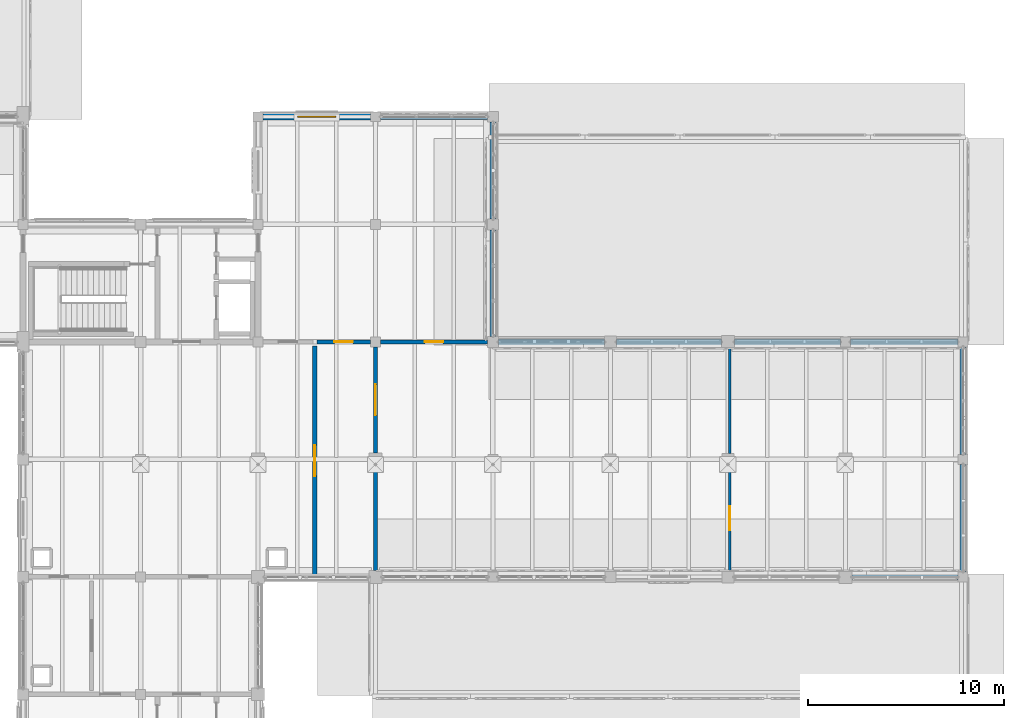
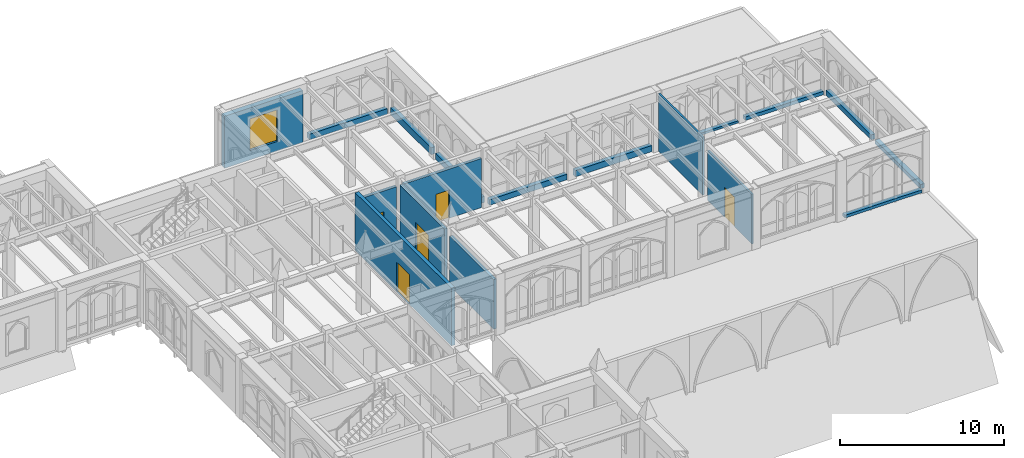
# One storey, part 110 of 143: 18 walls, 5 doors, 1 window, 6 openings.
"""IFC4 building model written with IfcOpenShell, lengths in metres."""

from ifc_helpers import new_model, si_unit, direction, frame, frame_2d, origin, place, context, subcontext, project, spatial, rectangle, extrude, material, layer, layer_set, type_object, element, fill, save


model = new_model("IFC4")

# Units and contexts
model_context = context("Model", 3, precision=1e-05, world=origin(), true_north=direction((0.0, 1.0)))
body_context = subcontext(model_context, "Body", "Model", "MODEL_VIEW")
ifc_project = project(units=[si_unit("LENGTHUNIT", "METRE"), si_unit("AREAUNIT", "SQUARE_METRE"), si_unit("VOLUMEUNIT", "CUBIC_METRE"), si_unit("PLANEANGLEUNIT", "RADIAN"), si_unit("MASSUNIT", "GRAM", prefix="KILO")], contexts=[model_context])

# Site, building, storey
site_placement = place(None, origin())
site = spatial("IfcSite", under=ifc_project, at=site_placement, CompositionType="ELEMENT")
building_placement = place(site_placement, origin())
building = spatial("IfcBuilding", under=site, at=building_placement, Name="Cumevento Cable Car Station", CompositionType="ELEMENT")
storey_placement = place(building_placement, frame((0.0, 0.0, 9.0)))
storey = spatial("IfcBuildingStorey", under=building, at=storey_placement, Name="L03", CompositionType="ELEMENT", Elevation=9.0)

# Walls
ifc_material_1 = material(Name="Gnaisse Facoidal Stone Ashlar 85 MPa", Category="masonry")
ifc_layer_1 = layer(ifc_material_1, 0.294921875)
ifc_layer_set_1 = layer_set([ifc_layer_1], Name="Gnaisse Facoidal Stone Ashlar 85 MPa")
wall_type_1 = type_object("IfcWallType", Name="Exterior Envelope Wall EW-295 295", PredefinedType="SOLIDWALL", material=ifc_layer_set_1)
wall_1_placement = place(storey_placement, frame((142.27490234375, 45.0, 0.0), z_axis=(0.0, 0.0, 1.0), x_axis=(1.0, 0.0, 0.0)))
element("IfcWall", 1, at=wall_1_placement, inside=storey, type_object=wall_type_1, Name="Exterior Sill Curb Wall EW-295 L03 #281", PredefinedType="SOLIDWALL", context=body_context, shape_type="SweptSolid", body=[
    extrude(rectangle(XDim=5.425048828125, YDim=0.294921875, at=frame_2d((2.71240234375, 0.0))), origin(), (0.0, 0.0, 1.0), 0.409912109375),
])
wall_2_placement = place(storey_placement, frame((148.300048828125, 45.0, 0.0), z_axis=(0.0, 0.0, 1.0), x_axis=(1.0, 0.0, 0.0)))
element("IfcWall", 2, at=wall_2_placement, inside=storey, type_object=wall_type_1, Name="Exterior Sill Curb Wall EW-295 L03 #283", PredefinedType="SOLIDWALL", context=body_context, shape_type="SweptSolid", body=[
    extrude(rectangle(XDim=5.375, YDim=0.294921875, at=frame_2d((2.6875, 0.0))), origin(), (0.0, 0.0, 1.0), 0.4599609375),
])
wall_3_placement = place(storey_placement, frame((154.324951171875, 45.0, 0.0), z_axis=(0.0, 0.0, 1.0), x_axis=(1.0, 0.0, 0.0)))
element("IfcWall", 3, at=wall_3_placement, inside=storey, type_object=wall_type_1, Name="Exterior Sill Curb Wall EW-295 L03 #285", PredefinedType="SOLIDWALL", context=body_context, shape_type="SweptSolid", body=[
    extrude(rectangle(XDim=5.425048828125, YDim=0.294921875, at=frame_2d((2.71240234375, 0.0))), origin(), (0.0, 0.0, 1.0), 0.159912109375),
])
wall_4_placement = place(storey_placement, frame((165.75, 33.0, 0.0), z_axis=(0.0, 0.0, 1.0), x_axis=(-1.0, 0.0, 0.0)))
element("IfcWall", 4, at=wall_4_placement, inside=storey, type_object=wall_type_1, Name="Exterior Sill Curb Wall EW-295 L03 #286", PredefinedType="SOLIDWALL", context=body_context, shape_type="SweptSolid", body=[
    extrude(rectangle(XDim=5.425048828125, YDim=0.294921875, at=frame_2d((2.71240234375, 0.0))), origin(), (0.0, 0.0, 1.0), 0.2099609375),
])
wall_5_placement = place(storey_placement, frame((160.25, 45.0, 0.0), z_axis=(0.0, 0.0, 1.0), x_axis=(1.0, 0.0, 0.0)))
element("IfcWall", 5, at=wall_5_placement, inside=storey, type_object=wall_type_1, Name="Exterior Sill Curb Wall EW-295 L03 #287", PredefinedType="SOLIDWALL", context=body_context, shape_type="SweptSolid", body=[
    extrude(rectangle(XDim=5.5, YDim=0.294921875, at=frame_2d((2.75, 0.0))), origin(), (0.0, 0.0, 1.0), 0.260009765625),
])
wall_6_placement = place(storey_placement, frame((166.0, 38.75, 0.0), z_axis=(0.0, 0.0, 1.0), x_axis=(0.0, -1.0, 0.0)))
element("IfcWall", 6, at=wall_6_placement, inside=storey, type_object=wall_type_1, Name="Exterior Sill Curb Wall EW-295 L03 #288", PredefinedType="SOLIDWALL", context=body_context, shape_type="SweptSolid", body=[
    extrude(rectangle(XDim=5.5, YDim=0.294921875, at=frame_2d((2.75, 0.0))), origin(), (0.0, 0.0, 1.0), 0.31005859375),
])
wall_7_placement = place(storey_placement, frame((166.0, 44.75, 0.0), z_axis=(0.0, 0.0, 1.0), x_axis=(0.0, -1.0, 0.0)))
element("IfcWall", 7, at=wall_7_placement, inside=storey, type_object=wall_type_1, Name="Exterior Sill Curb Wall EW-295 L03 #289", PredefinedType="SOLIDWALL", context=body_context, shape_type="SweptSolid", body=[
    extrude(rectangle(XDim=5.5, YDim=0.294921875, at=frame_2d((2.75, 0.0))), origin(), (0.0, 0.0, 1.0), 0.360107421875),
])
wall_8_placement = place(storey_placement, frame((136.25, 56.5, 0.0), z_axis=(0.0, 0.0, 1.0), x_axis=(1.0, 0.0, 0.0)))
element("IfcWall", 8, at=wall_8_placement, inside=storey, type_object=wall_type_1, Name="Exterior Sill Curb Wall EW-295 L03 #293", PredefinedType="SOLIDWALL", context=body_context, shape_type="SweptSolid", body=[
    extrude(rectangle(XDim=5.47509765625, YDim=0.294921875, at=frame_2d((2.737548828125, 0.0))), origin(), (0.0, 0.0, 1.0), 0.409912109375),
])
wall_9_placement = place(storey_placement, frame((142.0, 50.72509765625, 0.0), z_axis=(0.0, 0.0, 1.0), x_axis=(0.0, -1.0, 0.0)))
element("IfcWall", 9, at=wall_9_placement, inside=storey, type_object=wall_type_1, Name="Exterior Sill Curb Wall EW-295 L03 #294", PredefinedType="SOLIDWALL", context=body_context, shape_type="SweptSolid", body=[
    extrude(rectangle(XDim=5.4501953125, YDim=0.294921875, at=frame_2d((2.72509765625, 0.0))), origin(), (0.0, 0.0, 1.0), 0.4599609375),
])
wall_10_placement = place(storey_placement, frame((142.0, 56.22509765625, 0.0), z_axis=(0.0, 0.0, 1.0), x_axis=(0.0, -1.0, 0.0)))
element("IfcWall", 10, at=wall_10_placement, inside=storey, type_object=wall_type_1, Name="Exterior Sill Curb Wall EW-295 L03 #296", PredefinedType="SOLIDWALL", context=body_context, shape_type="SweptSolid", body=[
    extrude(rectangle(XDim=4.9501953125, YDim=0.294921875, at=frame_2d((2.47509765625, 0.0))), origin(), (0.0, 0.0, 1.0), 0.52001953125),
])

# Wall, opening, window
ifc_material_2 = material(Name="Concrete C40/50", Category="concrete")
ifc_layer_2 = layer(ifc_material_2, 0.35498046875)
ifc_layer_set_2 = layer_set([ifc_layer_2], Name="Concrete C40/50")
wall_type_2 = type_object("IfcWallType", Name="Exterior Envelope Wall EW-355 355", PredefinedType="SOLIDWALL", material=ifc_layer_set_2)
wall_11_placement = place(storey_placement, frame((130.25, 56.5, 0.0), z_axis=(0.0, 0.0, 1.0), x_axis=(1.0, 0.0, 0.0)))
wall_11 = element("IfcWall", 11, at=wall_11_placement, inside=storey, type_object=wall_type_2, Name="Exterior Wall EW-355 L03 #292", PredefinedType="SOLIDWALL", context=body_context, shape_type="SweptSolid", body=[
    extrude(rectangle(XDim=5.5, YDim=0.35498046875, at=frame_2d((2.75, 0.0))), origin(), (0.0, 0.0, 1.0), 3.868896484375),
])
opening_1_placement = place(wall_11_placement, frame((1.77490234375, 0.0, 0.699951171875)))
opening_1 = element("IfcOpeningElement", 12, at=opening_1_placement, cuts=wall_11, Name="Opening WN-L03-084", PredefinedType="OPENING", context=body_context, shape_type="SweptSolid", body=[
    extrude(rectangle(XDim=1.949951171875, YDim=2.35009765625, at=frame_2d((0.97509765625, 1.175048828125))), frame((0.0, 0.1875, 0.0), z_axis=(0.0, -1.0, 0.0), x_axis=(1.0, 0.0, 0.0)), (0.0, 0.0, 1.0), 0.375),
])
ifc_material_3 = material(Name="Anodised Bronze Aluminium & Laminated Solar Glass", Category="aluminium")
window_type = type_object("IfcWindowType", Name="Lancet Window WN-12 1950x2350", PartitioningType="DOUBLE_PANEL_VERTICAL", PredefinedType="WINDOW", material=ifc_material_3)
window_placement = place(opening_1_placement, origin())
window = element("IfcWindow", 13, at=window_placement, inside=storey, type_object=window_type, Name="Lancet Window WN-L03-084 (WN-12)", OverallHeight=2.35009765625, OverallWidth=1.949951171875, PartitioningType="SINGLE_PANEL", PredefinedType="WINDOW", context=body_context, shape_type="SweptSolid", body=[
    extrude(rectangle(XDim=1.949951171875, YDim=2.35009765625, at=frame_2d((0.97509765625, 1.175048828125))), frame((0.0, 0.030029296875, 0.0), z_axis=(0.0, -1.0, 0.0), x_axis=(1.0, 0.0, 0.0)), (0.0, 0.0, 1.0), 0.06005859375),
])
fill(opening_1, window)

# Wall, opening, door
ifc_material_4 = material(Name="Concrete C40/50", Category="concrete")
ifc_layer_3 = layer(ifc_material_4, 0.219970703125)
ifc_layer_set_3 = layer_set([ifc_layer_3], Name="Concrete C40/50")
wall_type_3 = type_object("IfcWallType", Name="Interior Partition FW-220 220", PredefinedType="SOLIDWALL", material=ifc_layer_set_3)
wall_12_placement = place(storey_placement, frame((136.0, 39.326904296875, 0.0), z_axis=(0.0, 0.0, 1.0), x_axis=(0.0, 1.0, 0.0)))
wall_12 = element("IfcWall", 14, at=wall_12_placement, inside=storey, type_object=wall_type_3, Name="Interior Wall FW-220 L03 #682", PredefinedType="SOLIDWALL", context=body_context, shape_type="SweptSolid", body=[
    extrude(rectangle(XDim=5.421142578125, YDim=0.219970703125, at=frame_2d((2.71044921875, 0.0))), origin(), (0.0, 0.0, 1.0), 3.819091796875),
])
opening_2_placement = place(wall_12_placement, frame((1.92041015625, 0.0, 0.0)))
opening_2 = element("IfcOpeningElement", 15, at=opening_2_placement, cuts=wall_12, Name="Opening DR-L03-271", PredefinedType="OPENING", context=body_context, shape_type="SweptSolid", body=[
    extrude(rectangle(XDim=1.580078125, YDim=2.199951171875, at=frame_2d((0.7900390625, 1.10009765625))), frame((0.0, 0.119873046875, 0.0), z_axis=(0.0, -1.0, 0.0), x_axis=(1.0, 0.0, 0.0)), (0.0, 0.0, 1.0), 0.239990234375),
])
ifc_material_5 = material(Name="Galvanised Painted Steel Fire Door", Category="steel")
door_type_1 = type_object("IfcDoorType", Name="Interior Door FD-06 1580x2200", OperationType="NOTDEFINED", PredefinedType="DOOR", material=ifc_material_5)
door_1_placement = place(opening_2_placement, origin())
door_1 = element("IfcDoor", 16, at=door_1_placement, inside=storey, type_object=door_type_1, Name="Interior Door DR-L03-271 (FD-06)", OperationType="DOUBLE_DOOR_SINGLE_SWING", OverallHeight=2.199951171875, OverallWidth=1.580078125, PredefinedType="DOOR", context=body_context, shape_type="SweptSolid", body=[
    extrude(rectangle(XDim=1.580078125, YDim=2.199951171875, at=frame_2d((0.7900390625, 1.10009765625))), frame((0.0, 0.02490234375, 0.0), z_axis=(0.0, -1.0, 0.0), x_axis=(1.0, 0.0, 0.0)), (0.0, 0.0, 1.0), 0.050048828125),
])
fill(opening_2, door_1)

# Wall
wall_13_placement = place(storey_placement, frame((136.0, 33.326904296875, 0.0), z_axis=(0.0, 0.0, 1.0), x_axis=(0.0, 1.0, 0.0)))
element("IfcWall", 17, at=wall_13_placement, inside=storey, type_object=wall_type_3, Name="Interior Wall FW-220 L03 #683", PredefinedType="SOLIDWALL", context=body_context, shape_type="SweptSolid", body=[
    extrude(rectangle(XDim=5.34619140625, YDim=0.219970703125, at=frame_2d((2.673095703125, 0.0))), origin(), (0.0, 0.0, 1.0), 3.69189453125),
])

# Wall, opening, door
wall_14_placement = place(storey_placement, frame((133.0, 45.0, 0.0), z_axis=(0.0, 0.0, 1.0), x_axis=(1.0, 0.0, 0.0)))
wall_14 = element("IfcWall", 18, at=wall_14_placement, inside=storey, type_object=wall_type_3, Name="Interior Wall FW-220 L03 #684", PredefinedType="SOLIDWALL", context=body_context, shape_type="SweptSolid", body=[
    extrude(rectangle(XDim=2.748046875, YDim=0.219970703125, at=frame_2d((1.3740234375, 0.0))), origin(), (0.0, 0.0, 1.0), 3.64697265625),
])
opening_3_placement = place(wall_14_placement, frame((0.904052734375, 0.0, 0.0)))
opening_3 = element("IfcOpeningElement", 19, at=opening_3_placement, cuts=wall_14, Name="Opening DR-L03-272", PredefinedType="OPENING", context=body_context, shape_type="SweptSolid", body=[
    extrude(rectangle(XDim=0.93994140625, YDim=2.10009765625, at=frame_2d((0.469970703125, 1.050048828125))), frame((0.0, 0.119873046875, 0.0), z_axis=(0.0, -1.0, 0.0), x_axis=(1.0, 0.0, 0.0)), (0.0, 0.0, 1.0), 0.239990234375),
])
ifc_material_6 = material(Name="Galvanised Painted Steel Fire Door", Category="steel")
door_type_2 = type_object("IfcDoorType", Name="Interior Door FD-08 940x2100", OperationType="NOTDEFINED", PredefinedType="DOOR", material=ifc_material_6)
door_2_placement = place(opening_3_placement, origin())
door_2 = element("IfcDoor", 20, at=door_2_placement, inside=storey, type_object=door_type_2, Name="Interior Door DR-L03-272 (FD-08)", OperationType="SINGLE_SWING_RIGHT", OverallHeight=2.10009765625, OverallWidth=0.93994140625, PredefinedType="DOOR", context=body_context, shape_type="SweptSolid", body=[
    extrude(rectangle(XDim=0.93994140625, YDim=2.10009765625, at=frame_2d((0.469970703125, 1.050048828125))), frame((0.0, 0.02490234375, 0.0), z_axis=(0.0, -1.0, 0.0), x_axis=(1.0, 0.0, 0.0)), (0.0, 0.0, 1.0), 0.050048828125),
])
fill(opening_3, door_2)

wall_15_placement = place(storey_placement, frame((136.251953125, 45.0, 0.0), z_axis=(0.0, 0.0, 1.0), x_axis=(1.0, 0.0, 0.0)))
wall_15 = element("IfcWall", 21, at=wall_15_placement, inside=storey, type_object=wall_type_3, Name="Interior Wall FW-220 L03 #687", PredefinedType="SOLIDWALL", context=body_context, shape_type="SweptSolid", body=[
    extrude(rectangle(XDim=5.470947265625, YDim=0.219970703125, at=frame_2d((2.7353515625, 0.0))), origin(), (0.0, 0.0, 1.0), 3.658935546875),
])
opening_4_placement = place(wall_15_placement, frame((2.265380859375, 0.0, 0.0)))
opening_4 = element("IfcOpeningElement", 22, at=opening_4_placement, cuts=wall_15, Name="Opening DR-L03-274", PredefinedType="OPENING", context=body_context, shape_type="SweptSolid", body=[
    extrude(rectangle(XDim=0.93994140625, YDim=2.10009765625, at=frame_2d((0.469970703125, 1.050048828125))), frame((0.0, 0.119873046875, 0.0), z_axis=(0.0, -1.0, 0.0), x_axis=(1.0, 0.0, 0.0)), (0.0, 0.0, 1.0), 0.239990234375),
])
door_3_placement = place(opening_4_placement, origin())
door_3 = element("IfcDoor", 23, at=door_3_placement, inside=storey, type_object=door_type_2, Name="Interior Door DR-L03-274 (FD-08)", OperationType="SINGLE_SWING_RIGHT", OverallHeight=2.10009765625, OverallWidth=0.93994140625, PredefinedType="DOOR", context=body_context, shape_type="SweptSolid", body=[
    extrude(rectangle(XDim=0.93994140625, YDim=2.10009765625, at=frame_2d((0.469970703125, 1.050048828125))), frame((0.0, 0.02490234375, 0.0), z_axis=(0.0, -1.0, 0.0), x_axis=(1.0, 0.0, 0.0)), (0.0, 0.0, 1.0), 0.050048828125),
])
fill(opening_4, door_3)

ifc_material_7 = material(Name="Gypsum Board & Insulated Stud Partition", Category="gypsum")
ifc_layer_4 = layer(ifc_material_7, 0.135009765625)
ifc_layer_set_4 = layer_set([ifc_layer_4], Name="Gypsum Board & Insulated Stud Partition")
wall_type_4 = type_object("IfcWallType", Name="Interior Partition PT-135 135", PredefinedType="PARTITIONING", material=ifc_layer_set_4)
wall_16_placement = place(storey_placement, frame((154.10009765625, 33.302001953125, 0.0), z_axis=(0.0, 0.0, 1.0), x_axis=(0.0, 1.0, 0.0)))
wall_16 = element("IfcWall", 24, at=wall_16_placement, inside=storey, type_object=wall_type_4, Name="Interior Wall PT-135 L03 #685", PredefinedType="PARTITIONING", context=body_context, shape_type="SweptSolid", body=[
    extrude(rectangle(XDim=5.39599609375, YDim=0.135009765625, at=frame_2d((2.697998046875, 0.0))), origin(), (0.0, 0.0, 1.0), 3.69189453125),
])
opening_5_placement = place(wall_16_placement, frame((2.077880859375, 0.0, 0.0)))
opening_5 = element("IfcOpeningElement", 25, at=opening_5_placement, cuts=wall_16, Name="Opening DR-L03-273", PredefinedType="OPENING", context=body_context, shape_type="SweptSolid", body=[
    extrude(rectangle(XDim=1.239990234375, YDim=2.219970703125, at=frame_2d((0.6201171875, 1.10986328125))), frame((0.0, 0.077392578125, 0.0), z_axis=(0.0, -1.0, 0.0), x_axis=(1.0, 0.0, 0.0)), (0.0, 0.0, 1.0), 0.155029296875),
])
ifc_material_8 = material(Name="Anodised Bronze Aluminium Glazed Door", Category="aluminium")
door_type_3 = type_object("IfcDoorType", Name="Interior Door ID-09 1240x2220", OperationType="NOTDEFINED", PredefinedType="DOOR", material=ifc_material_8)
door_4_placement = place(opening_5_placement, origin())
door_4 = element("IfcDoor", 26, at=door_4_placement, inside=storey, type_object=door_type_3, Name="Interior Door DR-L03-273 (ID-09)", OperationType="SINGLE_SWING_LEFT", OverallHeight=2.219970703125, OverallWidth=1.239990234375, PredefinedType="DOOR", context=body_context, shape_type="SweptSolid", body=[
    extrude(rectangle(XDim=1.239990234375, YDim=2.219970703125, at=frame_2d((0.6201171875, 1.10986328125))), frame((0.0, 0.02490234375, 0.0), z_axis=(0.0, -1.0, 0.0), x_axis=(1.0, 0.0, 0.0)), (0.0, 0.0, 1.0), 0.050048828125),
])
fill(opening_5, door_4)

# Wall
wall_17_placement = place(storey_placement, frame((154.10009765625, 39.302001953125, 0.0), z_axis=(0.0, 0.0, 1.0), x_axis=(0.0, 1.0, 0.0)))
element("IfcWall", 27, at=wall_17_placement, inside=storey, type_object=wall_type_4, Name="Interior Wall PT-135 L03 #686", PredefinedType="PARTITIONING", context=body_context, shape_type="SweptSolid", body=[
    extrude(rectangle(XDim=5.37109375, YDim=0.135009765625, at=frame_2d((2.685546875, 0.0))), origin(), (0.0, 0.0, 1.0), 4.300048828125),
])

# Wall, opening, door
ifc_material_9 = material(Name="Acoustic Masonry Block Partition", Category="masonry")
ifc_layer_5 = layer(ifc_material_9, 0.2451171875)
ifc_layer_set_5 = layer_set([ifc_layer_5], Name="Acoustic Masonry Block Partition")
wall_type_5 = type_object("IfcWallType", Name="Interior Partition PT-245 245", PredefinedType="PARTITIONING", material=ifc_layer_set_5)
wall_18_placement = place(storey_placement, frame((132.89990234375, 33.0849609375, 0.0), z_axis=(0.0, 0.0, 1.0), x_axis=(0.0, 1.0, 0.0)))
wall_18 = element("IfcWall", 28, at=wall_18_placement, inside=storey, type_object=wall_type_5, Name="Interior Wall PT-245 L03 #680", PredefinedType="PARTITIONING", context=body_context, shape_type="SweptSolid", body=[
    extrude(rectangle(XDim=11.715087890625, YDim=0.2451171875, at=frame_2d((5.857421875, 0.0))), origin(), (0.0, 0.0, 1.0), 4.300048828125),
])
opening_6_placement = place(wall_18_placement, frame((5.0673828125, 0.0, 0.0)))
opening_6 = element("IfcOpeningElement", 29, at=opening_6_placement, cuts=wall_18, Name="Opening DR-L03-269", PredefinedType="OPENING", context=body_context, shape_type="SweptSolid", body=[
    extrude(rectangle(XDim=1.580078125, YDim=2.199951171875, at=frame_2d((0.7900390625, 1.10009765625))), frame((0.0, 0.132568359375, 0.0), z_axis=(0.0, -1.0, 0.0), x_axis=(1.0, 0.0, 0.0)), (0.0, 0.0, 1.0), 0.26513671875),
])
door_5_placement = place(opening_6_placement, origin())
door_5 = element("IfcDoor", 30, at=door_5_placement, inside=storey, type_object=door_type_1, Name="Interior Door DR-L03-269 (FD-06)", OperationType="DOUBLE_DOOR_SINGLE_SWING", OverallHeight=2.199951171875, OverallWidth=1.580078125, PredefinedType="DOOR", context=body_context, shape_type="SweptSolid", body=[
    extrude(rectangle(XDim=1.580078125, YDim=2.199951171875, at=frame_2d((0.7900390625, 1.10009765625))), frame((0.0, 0.02490234375, 0.0), z_axis=(0.0, -1.0, 0.0), x_axis=(1.0, 0.0, 0.0)), (0.0, 0.0, 1.0), 0.050048828125),
])
fill(opening_6, door_5)

save(model, "model.ifc")
